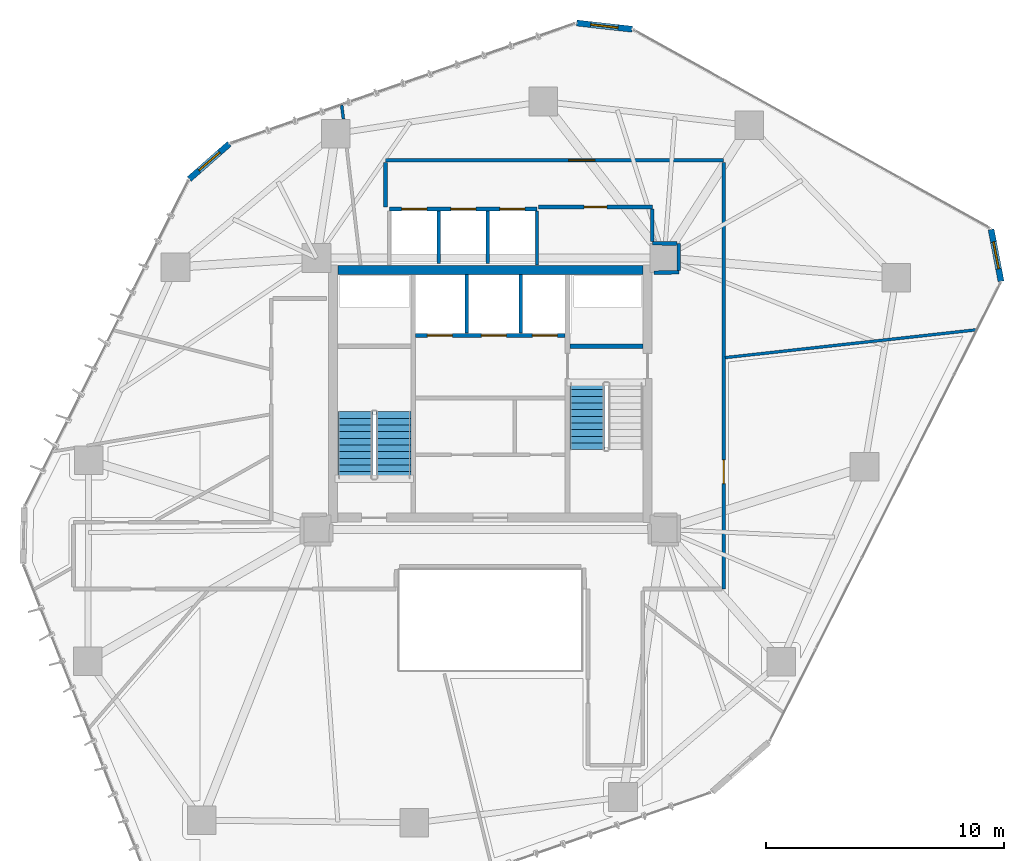
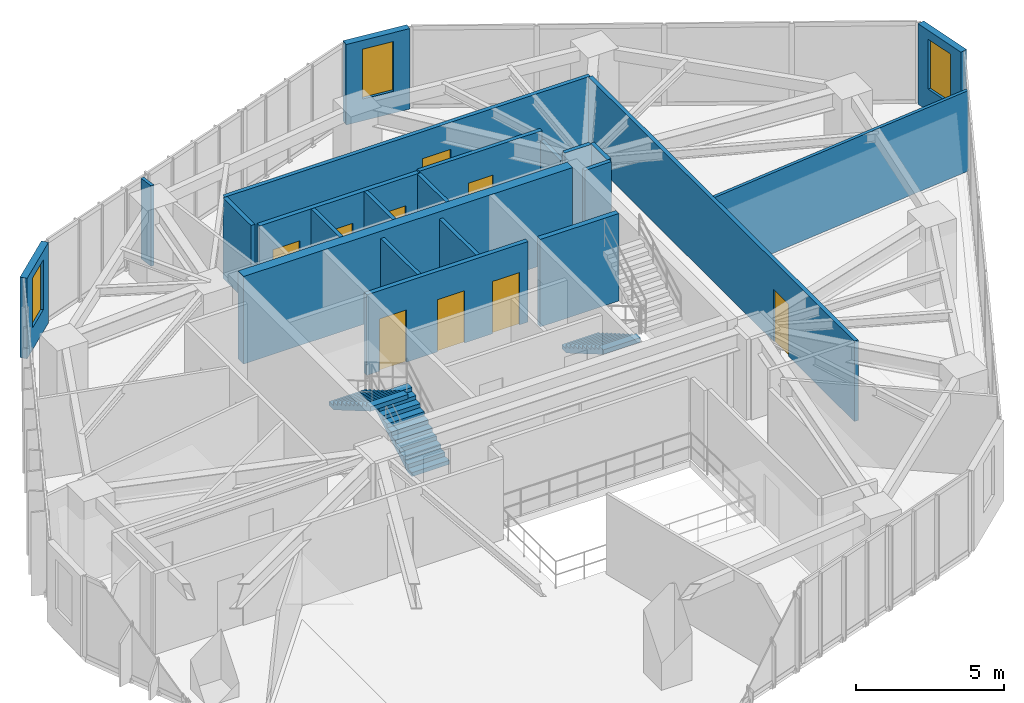
# One storey, part 17 of 21: 22 walls, 9 doors, 3 stair flights, 3 windows, 12 openings, 2 elements without a shape of their own.
"""IFC4 building model written with IfcOpenShell, lengths in metres."""

from ifc_helpers import new_model, si_unit, direction, frame, frame_2d, origin, place, context, subcontext, project, spatial, polyline, rectangle, outline, extrude, source, transform, mapped, material, layer, layer_set, type_object, type_shapes, element, fill, aggregate, save


model = new_model("IFC4")

# Units and contexts
model_context = context("Model", 3, precision=1e-05, world=origin(), true_north=direction((0.0, 1.0)))
body_context = subcontext(model_context, "Body", "Model", "MODEL_VIEW")
ifc_project = project(units=[si_unit("LENGTHUNIT", "METRE"), si_unit("AREAUNIT", "SQUARE_METRE"), si_unit("VOLUMEUNIT", "CUBIC_METRE"), si_unit("PLANEANGLEUNIT", "RADIAN"), si_unit("MASSUNIT", "GRAM", prefix="KILO")], contexts=[model_context])

# Site, building, storey
site_placement = place(None, origin())
site = spatial("IfcSite", under=ifc_project, at=site_placement, CompositionType="ELEMENT")
building_placement = place(site_placement, origin())
building = spatial("IfcBuilding", under=site, at=building_placement, Name="Talar Marvaseh", CompositionType="ELEMENT")
storey_placement = place(building_placement, frame((0.0, 0.0, 147.0)))
storey = spatial("IfcBuildingStorey", under=building, at=storey_placement, Name="L38", CompositionType="ELEMENT", Elevation=147.0)

# Wall, opening, window
ifc_material_1 = material(Name="Precast concrete C45/55", Category="concrete")
ifc_layer_1 = layer(ifc_material_1, 0.2548828125)
ifc_layer_set_1 = layer_set([ifc_layer_1], Name="Precast concrete C45/55")
wall_type_1 = type_object("IfcWallType", Name="Chamfered Hexagonal Corner Pier Wall Z2 255", PredefinedType="SOLIDWALL", material=ifc_layer_set_1)
wall_1_placement = place(storey_placement, frame((13.35546875, 40.2158203125, 0.0), z_axis=(0.0, 0.0, 1.0), x_axis=(0.751862192861, 0.65932028859, 0.0)))
wall_1 = element("IfcWall", 1, at=wall_1_placement, inside=storey, type_object=wall_type_1, Name="L38 Chamfered Corner Limestone Pier 3", PredefinedType="SOLIDWALL", context=body_context, shape_type="SweptSolid", body=[
    extrude(rectangle(XDim=2.2451171875, YDim=0.2548828125, at=frame_2d((1.12255859375, 0.0))), origin(), (0.0, 0.0, 1.0), 3.31005859375),
])
opening_1_placement = place(wall_1_placement, frame((0.548095703125, 0.0, 0.89990234375)))
opening_1 = element("IfcOpeningElement", 2, at=opening_1_placement, cuts=wall_1, Name="Opening WN-CHM11", PredefinedType="OPENING", context=body_context, shape_type="SweptSolid", body=[
    extrude(rectangle(XDim=1.14990234375, YDim=2.050048828125, at=frame_2d((0.574951171875, 1.02490234375))), frame((0.0, 0.137451171875, 0.0), z_axis=(0.0, -1.0, 0.0), x_axis=(1.0, 0.0, 0.0)), (0.0, 0.0, 1.0), 0.27490234375),
])
ifc_material_2 = material(Name="Laminated Low-E Solar Glass", Category="glass")
window_type = type_object("IfcWindowType", Name="Zone 2 Chamfered Corner Slot Window 1150x2050", PartitioningType="SINGLE_PANEL", PredefinedType="WINDOW", material=ifc_material_2)
shared_shape_1 = source(origin(), body_context, "Body", "SweptSolid", [
    extrude(rectangle(XDim=1.14990234375, YDim=2.050048828125, at=frame_2d((0.574951171875, 1.02490234375))), frame((0.0, 0.030029296875, 0.0), z_axis=(0.0, -1.0, 0.0), x_axis=(1.0, 0.0, 0.0)), (0.0, 0.0, 1.0), 0.06005859375),
])
type_shapes(window_type, [shared_shape_1])
window_1_placement = place(opening_1_placement, origin())
window_1 = element("IfcWindow", 3, at=window_1_placement, inside=storey, type_object=window_type, Name="L38 Chamfered Corner Slot Window", OverallHeight=2.050048828125, OverallWidth=1.14990234375, PartitioningType="SINGLE_PANEL", PredefinedType="WINDOW", context=body_context, shape_type="MappedRepresentation", body=[
    mapped(shared_shape_1, transform((0.0, 0.0, 0.0), x_axis=(1.0, 0.0, 0.0), y_axis=(0.0, 1.0, 0.0), z_axis=(0.0, 0.0, 1.0), scale=1.0)),
])
fill(opening_1, window_1)

wall_2_placement = place(storey_placement, frame((29.62548828125, 46.76708984375, 0.0), z_axis=(0.0, 0.0, 1.0), x_axis=(0.993822525902, -0.110981020945, 0.0)))
wall_2 = element("IfcWall", 4, at=wall_2_placement, inside=storey, type_object=wall_type_1, Name="L38 Chamfered Corner Limestone Pier 4", PredefinedType="SOLIDWALL", context=body_context, shape_type="SweptSolid", body=[
    extrude(rectangle(XDim=2.340576171875, YDim=0.2548828125, at=frame_2d((1.17041015625, 0.0))), origin(), (0.0, 0.0, 1.0), 3.31005859375),
])
opening_2_placement = place(wall_2_placement, frame((0.594970703125, 0.0, 0.89990234375)))
opening_2 = element("IfcOpeningElement", 5, at=opening_2_placement, cuts=wall_2, Name="Opening WN-CHM11", PredefinedType="OPENING", context=body_context, shape_type="SweptSolid", body=[
    extrude(rectangle(XDim=1.14990234375, YDim=2.050048828125, at=frame_2d((0.574951171875, 1.02490234375))), frame((0.0, 0.137451171875, 0.0), z_axis=(0.0, -1.0, 0.0), x_axis=(1.0, 0.0, 0.0)), (0.0, 0.0, 1.0), 0.27490234375),
])
window_2_placement = place(opening_2_placement, origin())
window_2 = element("IfcWindow", 6, at=window_2_placement, inside=storey, type_object=window_type, Name="L38 Chamfered Corner Slot Window", OverallHeight=2.050048828125, OverallWidth=1.14990234375, PartitioningType="SINGLE_PANEL", PredefinedType="WINDOW", context=body_context, shape_type="MappedRepresentation", body=[
    mapped(shared_shape_1, transform((0.0, 0.0, 0.0), x_axis=(1.0, 0.0, 0.0), y_axis=(0.0, 1.0, 0.0), z_axis=(0.0, 0.0, 1.0), scale=1.0)),
])
fill(opening_2, window_2)

wall_3_placement = place(storey_placement, frame((47.02587890625, 38.09912109375, 0.0), z_axis=(0.0, 0.0, 1.0), x_axis=(0.187911760655, -0.982185914279, 0.0)))
wall_3 = element("IfcWall", 7, at=wall_3_placement, inside=storey, type_object=wall_type_1, Name="L38 Chamfered Corner Limestone Pier 5", PredefinedType="SOLIDWALL", context=body_context, shape_type="SweptSolid", body=[
    extrude(rectangle(XDim=2.216552734375, YDim=0.2548828125, at=frame_2d((1.1083984375, 0.0))), origin(), (0.0, 0.0, 1.0), 3.31005859375),
])
opening_3_placement = place(wall_3_placement, frame((0.532958984375, 0.0, 0.89990234375)))
opening_3 = element("IfcOpeningElement", 8, at=opening_3_placement, cuts=wall_3, Name="Opening WN-CHM11", PredefinedType="OPENING", context=body_context, shape_type="SweptSolid", body=[
    extrude(rectangle(XDim=1.14990234375, YDim=2.050048828125, at=frame_2d((0.574951171875, 1.02490234375))), frame((0.0, 0.137451171875, 0.0), z_axis=(0.0, -1.0, 0.0), x_axis=(1.0, 0.0, 0.0)), (0.0, 0.0, 1.0), 0.27490234375),
])
window_3_placement = place(opening_3_placement, origin())
window_3 = element("IfcWindow", 9, at=window_3_placement, inside=storey, type_object=window_type, Name="L38 Chamfered Corner Slot Window", OverallHeight=2.050048828125, OverallWidth=1.14990234375, PartitioningType="SINGLE_PANEL", PredefinedType="WINDOW", context=body_context, shape_type="MappedRepresentation", body=[
    mapped(shared_shape_1, transform((0.0, 0.0, 0.0), x_axis=(1.0, 0.0, 0.0), y_axis=(0.0, 1.0, 0.0), z_axis=(0.0, 0.0, 1.0), scale=1.0)),
])
fill(opening_3, window_3)

# Wall, opening, door
ifc_material_3 = material(Name="Gypsum Board Partition Assembly")
ifc_layer_2 = layer(ifc_material_3, 0.155029296875)
ifc_layer_set_2 = layer_set([ifc_layer_2], Name="Gypsum Board Partition Assembly")
wall_type_2 = type_object("IfcWallType", Name="Corridor Fire-Rated Acoustic Partition 155", PredefinedType="PARTITIONING", material=ifc_layer_set_2)
wall_4_placement = place(storey_placement, frame((32.800048828125, 39.0400390625, 0.0), z_axis=(0.0, 0.0, 1.0), x_axis=(-1.0, 0.0, 0.0)))
wall_4 = element("IfcWall", 10, at=wall_4_placement, inside=storey, type_object=wall_type_2, Name="L38 Interior Partition Wall", PredefinedType="PARTITIONING", context=body_context, shape_type="SweptSolid", body=[
    extrude(rectangle(XDim=4.77001953125, YDim=0.155029296875, at=frame_2d((2.385009765625, 0.0))), origin(), (0.0, 0.0, 1.0), 3.31005859375),
])
opening_4_placement = place(wall_4_placement, frame((1.909912109375, 0.0, 0.0)))
opening_4 = element("IfcOpeningElement", 11, at=opening_4_placement, cuts=wall_4, Name="Opening DR-WC095", PredefinedType="OPENING", context=body_context, shape_type="SweptSolid", body=[
    extrude(rectangle(XDim=0.949951171875, YDim=2.14990234375, at=frame_2d((0.47509765625, 1.074951171875))), frame((0.0, 0.08740234375, 0.0), z_axis=(0.0, -1.0, 0.0), x_axis=(1.0, 0.0, 0.0)), (0.0, 0.0, 1.0), 0.175048828125),
])
ifc_material_4 = material(Name="Acoustic Engineered Oak Timber", Category="wood")
door_type_1 = type_object("IfcDoorType", Name="Washroom and Service Room Door 950x2150", OperationType="NOTDEFINED", PredefinedType="DOOR", material=ifc_material_4)
shared_shape_2 = source(origin(), body_context, "Body", "SweptSolid", [
    extrude(rectangle(XDim=0.949951171875, YDim=2.14990234375, at=frame_2d((0.47509765625, 1.074951171875))), frame((0.0, 0.02490234375, 0.0), z_axis=(0.0, -1.0, 0.0), x_axis=(1.0, 0.0, 0.0)), (0.0, 0.0, 1.0), 0.050048828125),
])
type_shapes(door_type_1, [shared_shape_2])
door_1_placement = place(opening_4_placement, origin())
door_1 = element("IfcDoor", 12, at=door_1_placement, inside=storey, type_object=door_type_1, Name="L38 Accessible WC Door", OperationType="SINGLE_SWING_RIGHT", OverallHeight=2.14990234375, OverallWidth=0.949951171875, PredefinedType="DOOR", context=body_context, shape_type="MappedRepresentation", body=[
    mapped(shared_shape_2, transform((0.0, 0.0, 0.0), x_axis=(1.0, 0.0, 0.0), y_axis=(0.0, 1.0, 0.0), z_axis=(0.0, 0.0, 1.0), scale=1.0)),
])
fill(opening_4, door_1)

wall_5_placement = place(storey_placement, frame((21.60009765625, 41.0, 0.0), z_axis=(0.0, 0.0, 1.0), x_axis=(1.0, 0.0, 0.0)))
wall_5 = element("IfcWall", 13, at=wall_5_placement, inside=storey, type_object=wall_type_2, Name="L38 Interior Partition Wall", PredefinedType="PARTITIONING", context=body_context, shape_type="SweptSolid", body=[
    extrude(rectangle(XDim=14.199951171875, YDim=0.155029296875, at=frame_2d((7.10009765625, 0.0))), origin(), (0.0, 0.0, 1.0), 3.31005859375),
])
opening_5_placement = place(wall_5_placement, frame((7.68603515625, 0.0, 0.0)))
opening_5 = element("IfcOpeningElement", 14, at=opening_5_placement, cuts=wall_5, Name="Opening DR-RM110", PredefinedType="OPENING", context=body_context, shape_type="SweptSolid", body=[
    extrude(rectangle(XDim=1.10009765625, YDim=2.199951171875, at=frame_2d((0.550048828125, 1.10009765625))), frame((0.0, 0.08740234375, 0.0), z_axis=(0.0, -1.0, 0.0), x_axis=(1.0, 0.0, 0.0)), (0.0, 0.0, 1.0), 0.175048828125),
])
door_type_2 = type_object("IfcDoorType", Name="Assembly and Reading Hall Door 1100x2200", OperationType="NOTDEFINED", PredefinedType="DOOR", material=ifc_material_4)
shared_shape_3 = source(origin(), body_context, "Body", "SweptSolid", [
    extrude(rectangle(XDim=1.10009765625, YDim=2.199951171875, at=frame_2d((0.550048828125, 1.10009765625))), frame((0.0, 0.02490234375, 0.0), z_axis=(0.0, -1.0, 0.0), x_axis=(1.0, 0.0, 0.0)), (0.0, 0.0, 1.0), 0.050048828125),
])
type_shapes(door_type_2, [shared_shape_3])
door_2_placement = place(opening_5_placement, origin())
door_2 = element("IfcDoor", 15, at=door_2_placement, inside=storey, type_object=door_type_2, Name="L38 Gallery Security Control Room Door", OperationType="SINGLE_SWING_LEFT", OverallHeight=2.199951171875, OverallWidth=1.10009765625, PredefinedType="DOOR", context=body_context, shape_type="MappedRepresentation", body=[
    mapped(shared_shape_3, transform((0.0, 0.0, 0.0), x_axis=(1.0, 0.0, 0.0), y_axis=(0.0, 1.0, 0.0), z_axis=(0.0, 0.0, 1.0), scale=1.0)),
])
fill(opening_5, door_2)

wall_6_placement = place(storey_placement, frame((35.800048828125, 40.91650390625, 0.0), z_axis=(0.0, 0.0, 1.0), x_axis=(0.0, -1.0, 0.0)))
wall_6 = element("IfcWall", 16, at=wall_6_placement, inside=storey, type_object=wall_type_2, Name="L38 Interior Partition Wall", PredefinedType="PARTITIONING", context=body_context, shape_type="SweptSolid", body=[
    extrude(rectangle(XDim=17.91650390625, YDim=0.155029296875, at=frame_2d((8.958251953125, 0.0))), origin(), (0.0, 0.0, 1.0), 3.31005859375),
])
opening_6_placement = place(wall_6_placement, frame((12.48876953125, 0.0, 0.0)))
opening_6 = element("IfcOpeningElement", 17, at=opening_6_placement, cuts=wall_6, Name="Opening DR-RM100", PredefinedType="OPENING", context=body_context, shape_type="SweptSolid", body=[
    extrude(rectangle(XDim=1.0, YDim=2.14990234375, at=frame_2d((0.5, 1.074951171875))), frame((0.0, 0.08740234375, 0.0), z_axis=(0.0, -1.0, 0.0), x_axis=(1.0, 0.0, 0.0)), (0.0, 0.0, 1.0), 0.175048828125),
])
door_type_3 = type_object("IfcDoorType", Name="Corridor Fire-Rated Gallery Door 1000x2150", OperationType="NOTDEFINED", PredefinedType="DOOR", material=ifc_material_4)
shared_shape_4 = source(origin(), body_context, "Body", "SweptSolid", [
    extrude(rectangle(XDim=1.0, YDim=2.14990234375, at=frame_2d((0.5, 1.074951171875))), frame((0.0, 0.02490234375, 0.0), z_axis=(0.0, -1.0, 0.0), x_axis=(1.0, 0.0, 0.0)), (0.0, 0.0, 1.0), 0.050048828125),
])
type_shapes(door_type_3, [shared_shape_4])
door_3_placement = place(opening_6_placement, origin())
door_3 = element("IfcDoor", 18, at=door_3_placement, inside=storey, type_object=door_type_3, Name="L38 Cultural Fellowship Office Door", OperationType="SINGLE_SWING_RIGHT", OverallHeight=2.14990234375, OverallWidth=1.0, PredefinedType="DOOR", context=body_context, shape_type="MappedRepresentation", body=[
    mapped(shared_shape_4, transform((0.0, 0.0, 0.0), x_axis=(1.0, 0.0, 0.0), y_axis=(0.0, 1.0, 0.0), z_axis=(0.0, 0.0, 1.0), scale=1.0)),
])
fill(opening_6, door_3)

# Walls
wall_7_placement = place(storey_placement, frame((32.8701171875, 36.284912109375, 0.0), z_axis=(0.0, 0.0, 1.0), x_axis=(0.999895094683, 0.014484461652, 0.0)))
element("IfcWall", 19, at=wall_7_placement, inside=storey, type_object=wall_type_2, Name="L38 Interior Partition Wall", PredefinedType="PARTITIONING", context=body_context, shape_type="SweptSolid", body=[
    extrude(rectangle(XDim=1.044921875, YDim=0.155029296875, at=frame_2d((0.5224609375, 0.0))), origin(), (0.0, 0.0, 1.0), 3.31005859375),
])
wall_8_placement = place(storey_placement, frame((33.914794921875, 36.383544921875, 0.0), z_axis=(0.0, 0.0, 1.0), x_axis=(-0.003682817312, 0.999993218405, 0.0)))
element("IfcWall", 20, at=wall_8_placement, inside=storey, type_object=wall_type_2, Name="L38 Interior Partition Wall", PredefinedType="PARTITIONING", context=body_context, shape_type="SweptSolid", body=[
    extrude(rectangle(XDim=1.126953125, YDim=0.155029296875, at=frame_2d((0.5634765625, 0.0))), origin(), (0.0, 0.0, 1.0), 3.31005859375),
])
wall_9_placement = place(storey_placement, frame((33.8271484375, 37.510986328125, 0.0), z_axis=(0.0, 0.0, 1.0), x_axis=(-0.99999276797, 0.003803157663, 0.0)))
element("IfcWall", 21, at=wall_9_placement, inside=storey, type_object=wall_type_2, Name="L38 Interior Partition Wall", PredefinedType="PARTITIONING", context=body_context, shape_type="SweptSolid", body=[
    extrude(rectangle(XDim=1.027099609375, YDim=0.155029296875, at=frame_2d((0.513671875, 0.0))), origin(), (0.0, 0.0, 1.0), 3.31005859375),
])
wall_10_placement = place(storey_placement, frame((32.800048828125, 37.598388671875, 0.0), z_axis=(0.0, 0.0, 1.0), x_axis=(0.0, 1.0, 0.0)))
element("IfcWall", 22, at=wall_10_placement, inside=storey, type_object=wall_type_2, Name="L38 Interior Partition Wall", PredefinedType="PARTITIONING", context=body_context, shape_type="SweptSolid", body=[
    extrude(rectangle(XDim=1.358154296875, YDim=0.155029296875, at=frame_2d((0.67919921875, 0.0))), origin(), (0.0, 0.0, 1.0), 2.927001953125),
])
wall_11_placement = place(storey_placement, frame((21.60009765625, 39.0400390625, 0.0), z_axis=(0.0, 0.0, 1.0), x_axis=(0.0, 1.0, 0.0)))
element("IfcWall", 23, at=wall_11_placement, inside=storey, type_object=wall_type_2, Name="L38 Interior Partition Wall", PredefinedType="PARTITIONING", context=body_context, shape_type="SweptSolid", body=[
    extrude(rectangle(XDim=1.87646484375, YDim=0.155029296875, at=frame_2d((0.938232421875, 0.0))), origin(), (0.0, 0.0, 1.0), 3.31005859375),
])
ifc_layer_3 = layer(ifc_material_3, 0.1201171875)
ifc_layer_set_3 = layer_set([ifc_layer_3], Name="Gypsum Board Partition Assembly")
wall_type_3 = type_object("IfcWallType", Name="Demountable Studio Room Partition 120", PredefinedType="PARTITIONING", material=ifc_layer_set_3)
wall_12_placement = place(storey_placement, frame((35.864501953125, 32.71728515625, 0.0), z_axis=(0.0, 0.0, 1.0), x_axis=(0.993931928735, 0.109996913779, 0.0)))
element("IfcWall", 24, at=wall_12_placement, inside=storey, type_object=wall_type_3, Name="L38 Interior Partition Wall", PredefinedType="PARTITIONING", context=body_context, shape_type="SweptSolid", body=[
    extrude(rectangle(XDim=10.60498046875, YDim=0.1201171875, at=frame_2d((5.302490234375, 0.0))), origin(), (0.0, 0.0, 1.0), 3.31005859375),
])
wall_13_placement = place(storey_placement, frame((19.830078125, 42.739990234375, 0.0), z_axis=(0.0, 0.0, 1.0), x_axis=(-0.124294013826, 0.992245432404, 0.0)))
element("IfcWall", 25, at=wall_13_placement, inside=storey, type_object=wall_type_3, Name="L38 Interior Partition Wall", PredefinedType="PARTITIONING", context=body_context, shape_type="SweptSolid", body=[
    extrude(rectangle(XDim=0.579345703125, YDim=0.1201171875, at=frame_2d((0.28955078125, 0.0))), origin(), (0.0, 0.0, 1.0), 3.31005859375),
])
ifc_layer_4 = layer(ifc_material_1, 0.14501953125)
ifc_layer_set_4 = layer_set([ifc_layer_4], Name="Precast concrete C45/55")
wall_type_4 = type_object("IfcWallType", Name="Fire-Rated Lift Divider Wall 145", PredefinedType="SOLIDWALL", material=ifc_layer_set_4)
for number, where, z_axis, x_axis, name in (
    (26, (25.0, 33.743408203125, 0.0), (0.0, 0.0, 1.0), (0.0, 1.0, 0.0), "L38 FFL-1/FFL-2 Divider"),
    (27, (27.280029296875, 33.743408203125, 0.0), (0.0, 0.0, 1.0), (0.0, 1.0, 0.0), "L38 FFL-2/SVL-1 Divider"),
):
    element("IfcWall", number, at=place(storey_placement, frame(where, z_axis=z_axis, x_axis=x_axis)), inside=storey, type_object=wall_type_4, Name=name, PredefinedType="SOLIDWALL", context=body_context, shape_type="SweptSolid", body=[
        extrude(rectangle(XDim=2.45654296875, YDim=0.14501953125, at=frame_2d((1.228271484375, 0.0))), origin(), (0.0, 0.0, 1.0), 3.31005859375),
    ])
wall_14_placement = place(storey_placement, frame((27.9599609375, 36.60009765625, 0.0), z_axis=(0.0, 0.0, 1.0), x_axis=(0.0, 1.0, 0.0)))
element("IfcWall", 28, at=wall_14_placement, inside=storey, type_object=wall_type_4, Name="L38 Low-Rise Bank East Wall", PredefinedType="SOLIDWALL", context=body_context, shape_type="SweptSolid", body=[
    extrude(rectangle(XDim=2.266357421875, YDim=0.14501953125, at=frame_2d((1.13330078125, 0.0))), origin(), (0.0, 0.0, 1.0), 3.31005859375),
])
for number, where, z_axis, x_axis, name in (
    (29, (23.830078125, 36.659912109375, 0.0), (0.0, 0.0, 1.0), (0.0, 1.0, 0.0), "L38 PL-L1/PL-L2 Divider"),
    (30, (25.889892578125, 36.659912109375, 0.0), (0.0, 0.0, 1.0), (0.0, 1.0, 0.0), "L38 PL-L2/PL-L3 Divider"),
):
    element("IfcWall", number, at=place(storey_placement, frame(where, z_axis=z_axis, x_axis=x_axis)), inside=storey, type_object=wall_type_4, Name=name, PredefinedType="SOLIDWALL", context=body_context, shape_type="SweptSolid", body=[
        extrude(rectangle(XDim=2.20654296875, YDim=0.14501953125, at=frame_2d((1.103271484375, 0.0))), origin(), (0.0, 0.0, 1.0), 3.31005859375),
    ])

# Wall, openings, doors
ifc_layer_5 = layer(ifc_material_1, 0.175048828125)
ifc_layer_set_5 = layer_set([ifc_layer_5], Name="Precast concrete C45/55")
wall_type_5 = type_object("IfcWallType", Name="Fire-Rated Lift Hoistway Enclosure Wall 175", PredefinedType="SOLIDWALL", material=ifc_layer_set_5)
wall_15_placement = place(storey_placement, frame((22.860107421875, 33.64990234375, 0.0), z_axis=(0.0, 0.0, 1.0), x_axis=(1.0, 0.0, 0.0)))
wall_15 = element("IfcWall", 31, at=wall_15_placement, inside=storey, type_object=wall_type_5, Name="L38 Firefighting and Service Lift Front Wall", PredefinedType="SOLIDWALL", context=body_context, shape_type="SweptSolid", body=[
    extrude(rectangle(XDim=6.27978515625, YDim=0.175048828125, at=frame_2d((3.139892578125, 0.0))), origin(), (0.0, 0.0, 1.0), 3.31005859375),
])
opening_7_placement = place(wall_15_placement, frame((0.5, 0.0, 0.0)))
opening_7 = element("IfcOpeningElement", 32, at=opening_7_placement, cuts=wall_15, Name="Opening LD-FF1", PredefinedType="OPENING", context=body_context, shape_type="SweptSolid", body=[
    extrude(rectangle(XDim=1.050048828125, YDim=2.14990234375, at=frame_2d((0.52490234375, 1.074951171875))), frame((0.0, 0.09765625, 0.0), z_axis=(0.0, -1.0, 0.0), x_axis=(1.0, 0.0, 0.0)), (0.0, 0.0, 1.0), 0.195068359375),
])
opening_8_placement = place(wall_15_placement, frame((2.760009765625, 0.0, 0.0)))
opening_8 = element("IfcOpeningElement", 33, at=opening_8_placement, cuts=wall_15, Name="Opening LD-FF2", PredefinedType="OPENING", context=body_context, shape_type="SweptSolid", body=[
    extrude(rectangle(XDim=1.050048828125, YDim=2.14990234375, at=frame_2d((0.52490234375, 1.074951171875))), frame((0.0, 0.09765625, 0.0), z_axis=(0.0, -1.0, 0.0), x_axis=(1.0, 0.0, 0.0)), (0.0, 0.0, 1.0), 0.195068359375),
])
opening_9_placement = place(wall_15_placement, frame((4.89990234375, 0.0, 0.0)))
opening_9 = element("IfcOpeningElement", 34, at=opening_9_placement, cuts=wall_15, Name="Opening LD-SV1", PredefinedType="OPENING", context=body_context, shape_type="SweptSolid", body=[
    extrude(rectangle(XDim=1.050048828125, YDim=2.14990234375, at=frame_2d((0.52490234375, 1.074951171875))), frame((0.0, 0.09765625, 0.0), z_axis=(0.0, -1.0, 0.0), x_axis=(1.0, 0.0, 0.0)), (0.0, 0.0, 1.0), 0.195068359375),
])
ifc_material_5 = material(Name="Stainless Steel Grade 316", Category="steel")
door_type_4 = type_object("IfcDoorType", Name="Automatic Sliding Lift Landing Door 1050x2150", OperationType="NOTDEFINED", PredefinedType="DOOR", material=ifc_material_5)
shared_shape_5 = source(origin(), body_context, "Body", "SweptSolid", [
    extrude(rectangle(XDim=1.050048828125, YDim=2.14990234375, at=frame_2d((0.52490234375, 1.074951171875))), frame((0.0, 0.02490234375, 0.0), z_axis=(0.0, -1.0, 0.0), x_axis=(1.0, 0.0, 0.0)), (0.0, 0.0, 1.0), 0.050048828125),
])
type_shapes(door_type_4, [shared_shape_5])
door_4_placement = place(opening_7_placement, origin())
door_4 = element("IfcDoor", 35, at=door_4_placement, inside=storey, type_object=door_type_4, Name="L38 Lift FFL-1 Sliding Landing Door", OperationType="SLIDING_TO_LEFT", OverallHeight=2.14990234375, OverallWidth=1.050048828125, PredefinedType="DOOR", context=body_context, shape_type="MappedRepresentation", body=[
    mapped(shared_shape_5, transform((0.0, 0.0, 0.0), x_axis=(1.0, 0.0, 0.0), y_axis=(0.0, 1.0, 0.0), z_axis=(0.0, 0.0, 1.0), scale=1.0)),
])
fill(opening_7, door_4)
door_5_placement = place(opening_8_placement, origin())
door_5 = element("IfcDoor", 36, at=door_5_placement, inside=storey, type_object=door_type_4, Name="L38 Lift FFL-2 Sliding Landing Door", OperationType="SLIDING_TO_LEFT", OverallHeight=2.14990234375, OverallWidth=1.050048828125, PredefinedType="DOOR", context=body_context, shape_type="MappedRepresentation", body=[
    mapped(shared_shape_5, transform((0.0, 0.0, 0.0), x_axis=(1.0, 0.0, 0.0), y_axis=(0.0, 1.0, 0.0), z_axis=(0.0, 0.0, 1.0), scale=1.0)),
])
fill(opening_8, door_5)
door_6_placement = place(opening_9_placement, origin())
door_6 = element("IfcDoor", 37, at=door_6_placement, inside=storey, type_object=door_type_4, Name="L38 Lift SVL-1 Sliding Landing Door", OperationType="SLIDING_TO_LEFT", OverallHeight=2.14990234375, OverallWidth=1.050048828125, PredefinedType="DOOR", context=body_context, shape_type="MappedRepresentation", body=[
    mapped(shared_shape_5, transform((0.0, 0.0, 0.0), x_axis=(1.0, 0.0, 0.0), y_axis=(0.0, 1.0, 0.0), z_axis=(0.0, 0.0, 1.0), scale=1.0)),
])
fill(opening_9, door_6)

wall_16_placement = place(storey_placement, frame((21.760009765625, 38.9599609375, 0.0), z_axis=(0.0, 0.0, 1.0), x_axis=(1.0, 0.0, 0.0)))
wall_16 = element("IfcWall", 38, at=wall_16_placement, inside=storey, type_object=wall_type_5, Name="L38 Low-Rise Lift Bank Front Wall", PredefinedType="SOLIDWALL", context=body_context, shape_type="SweptSolid", body=[
    extrude(rectangle(XDim=6.199951171875, YDim=0.175048828125, at=frame_2d((3.10009765625, 0.0))), origin(), (0.0, 0.0, 1.0), 3.31005859375),
])
opening_10_placement = place(wall_16_placement, frame((0.52001953125, 0.0, 0.0)))
opening_10 = element("IfcOpeningElement", 39, at=opening_10_placement, cuts=wall_16, Name="Opening LD-PLL1", PredefinedType="OPENING", context=body_context, shape_type="SweptSolid", body=[
    extrude(rectangle(XDim=1.050048828125, YDim=2.14990234375, at=frame_2d((0.52490234375, 1.074951171875))), frame((0.0, 0.09765625, 0.0), z_axis=(0.0, -1.0, 0.0), x_axis=(1.0, 0.0, 0.0)), (0.0, 0.0, 1.0), 0.195068359375),
])
opening_11_placement = place(wall_16_placement, frame((2.580078125, 0.0, 0.0)))
opening_11 = element("IfcOpeningElement", 40, at=opening_11_placement, cuts=wall_16, Name="Opening LD-PLL2", PredefinedType="OPENING", context=body_context, shape_type="SweptSolid", body=[
    extrude(rectangle(XDim=1.050048828125, YDim=2.14990234375, at=frame_2d((0.52490234375, 1.074951171875))), frame((0.0, 0.09765625, 0.0), z_axis=(0.0, -1.0, 0.0), x_axis=(1.0, 0.0, 0.0)), (0.0, 0.0, 1.0), 0.195068359375),
])
opening_12_placement = place(wall_16_placement, frame((4.639892578125, 0.0, 0.0)))
opening_12 = element("IfcOpeningElement", 41, at=opening_12_placement, cuts=wall_16, Name="Opening LD-PLL3", PredefinedType="OPENING", context=body_context, shape_type="SweptSolid", body=[
    extrude(rectangle(XDim=1.050048828125, YDim=2.14990234375, at=frame_2d((0.52490234375, 1.074951171875))), frame((0.0, 0.09765625, 0.0), z_axis=(0.0, -1.0, 0.0), x_axis=(1.0, 0.0, 0.0)), (0.0, 0.0, 1.0), 0.195068359375),
])
door_7_placement = place(opening_10_placement, origin())
door_7 = element("IfcDoor", 42, at=door_7_placement, inside=storey, type_object=door_type_4, Name="L38 Lift PL-L1 Sliding Landing Door", OperationType="SLIDING_TO_LEFT", OverallHeight=2.14990234375, OverallWidth=1.050048828125, PredefinedType="DOOR", context=body_context, shape_type="MappedRepresentation", body=[
    mapped(shared_shape_5, transform((0.0, 0.0, 0.0), x_axis=(1.0, 0.0, 0.0), y_axis=(0.0, 1.0, 0.0), z_axis=(0.0, 0.0, 1.0), scale=1.0)),
])
fill(opening_10, door_7)
door_8_placement = place(opening_11_placement, origin())
door_8 = element("IfcDoor", 43, at=door_8_placement, inside=storey, type_object=door_type_4, Name="L38 Lift PL-L2 Sliding Landing Door", OperationType="SLIDING_TO_LEFT", OverallHeight=2.14990234375, OverallWidth=1.050048828125, PredefinedType="DOOR", context=body_context, shape_type="MappedRepresentation", body=[
    mapped(shared_shape_5, transform((0.0, 0.0, 0.0), x_axis=(1.0, 0.0, 0.0), y_axis=(0.0, 1.0, 0.0), z_axis=(0.0, 0.0, 1.0), scale=1.0)),
])
fill(opening_11, door_8)
door_9_placement = place(opening_12_placement, origin())
door_9 = element("IfcDoor", 44, at=door_9_placement, inside=storey, type_object=door_type_4, Name="L38 Lift PL-L3 Sliding Landing Door", OperationType="SLIDING_TO_LEFT", OverallHeight=2.14990234375, OverallWidth=1.050048828125, PredefinedType="DOOR", context=body_context, shape_type="MappedRepresentation", body=[
    mapped(shared_shape_5, transform((0.0, 0.0, 0.0), x_axis=(1.0, 0.0, 0.0), y_axis=(0.0, 1.0, 0.0), z_axis=(0.0, 0.0, 1.0), scale=1.0)),
])
fill(opening_12, door_9)

# Walls
ifc_material_6 = material(Name="Concrete C60/75", Category="concrete")
ifc_layer_6 = layer(ifc_material_6, 0.3798828125)
ifc_layer_set_6 = layer_set([ifc_layer_6], Name="Concrete C60/75")
wall_type_6 = type_object("IfcWallType", Name="Mid Core Reinforced Concrete Shear Wall 380", PredefinedType="SHEAR", material=ifc_layer_set_6)
wall_17_placement = place(storey_placement, frame((19.60009765625, 36.39990234375, 0.0), z_axis=(0.0, 0.0, 1.0), x_axis=(1.0, 0.0, 0.0)))
element("IfcWall", 45, at=wall_17_placement, inside=storey, type_object=wall_type_6, Name="L38 North Core Shear Wall", PredefinedType="SHEAR", context=body_context, shape_type="SweptSolid", body=[
    extrude(rectangle(XDim=12.7998046875, YDim=0.3798828125, at=frame_2d((6.39990234375, 0.0))), origin(), (0.0, 0.0, 1.0), 3.60009765625),
])
ifc_material_7 = material(Name="Concrete C50/60", Category="concrete")
ifc_layer_7 = layer(ifc_material_7, 0.199951171875)
ifc_layer_set_7 = layer_set([ifc_layer_7], Name="Concrete C50/60")
wall_type_7 = type_object("IfcWallType", Name="Stair Shaft Structural Concrete Shear Wall 200", PredefinedType="SHEAR", material=ifc_layer_set_7)
wall_18_placement = place(storey_placement, frame((29.340087890625, 33.199951171875, 0.0), z_axis=(0.0, 0.0, 1.0), x_axis=(1.0, 0.0, 0.0)))
element("IfcWall", 46, at=wall_18_placement, inside=storey, type_object=wall_type_7, Name="L38 Stair ST-2 North Shear Wall", PredefinedType="SHEAR", context=body_context, shape_type="SweptSolid", body=[
    extrude(rectangle(XDim=3.059814453125, YDim=0.199951171875, at=frame_2d((1.52978515625, 0.0))), origin(), (0.0, 0.0, 1.0), 3.60009765625),
])

# Stair, stair flights
ifc_material_8 = material(Name="Concrete C40/50", Category="concrete")
stair_type = type_object("IfcStairType", Name="Reinforced Concrete Half-Turn Exit Stair Type B", PredefinedType="HALF_TURN_STAIR", material=ifc_material_8)
stair_1_placement = place(storey_placement, origin())
stair_1 = element("IfcStair", 47, at=stair_1_placement, inside=storey, type_object=stair_type, Name="L38 Tower West Core Exit Stair", PredefinedType="HALF_TURN_STAIR")
ifc_layer_8 = layer(ifc_material_8, 0.159912109375)
ifc_layer_set_8 = layer_set([ifc_layer_8], Name="Concrete C40/50")
stair_flight_type = type_object("IfcStairFlightType", Name="Reinforced Concrete Straight Stair Flight 160", PredefinedType="STRAIGHT", material=ifc_layer_set_8)
stair_flight_1_placement = place(storey_placement, frame((21.93505859375, 27.64990234375, 0.0), z_axis=(0.0, 0.0, 1.0), x_axis=(0.0, 1.0, 0.0)))
stair_flight_1 = element("IfcStairFlight", 48, at=stair_flight_1_placement, type_object=stair_flight_type, Name="ST-1 flight 1", NumberOfRisers=11, NumberOfTreads=10, PredefinedType="STRAIGHT", RiserHeight=0.163636364, TreadLength=0.28, context=body_context, shape_type="SweptSolid", body=[
    extrude(outline(polyline([(0.0, 0.0), (0.0, 0.16357421875), (0.280029296875, 0.16357421875), (0.280029296875, 0.327392578125), (0.56005859375, 0.327392578125), (0.56005859375, 0.490966796875), (0.840087890625, 0.490966796875), (0.840087890625, 0.654541015625), (1.1201171875, 0.654541015625), (1.1201171875, 0.818115234375), (1.39990234375, 0.818115234375), (1.39990234375, 0.98193359375), (1.679931640625, 0.98193359375), (1.679931640625, 1.1455078125), (1.9599609375, 1.1455078125), (1.9599609375, 1.30908203125), (2.239990234375, 1.30908203125), (2.239990234375, 1.47265625), (2.52001953125, 1.47265625), (2.52001953125, 1.636474609375), (2.800048828125, 1.636474609375), (2.800048828125, 1.800048828125), (2.800048828125, 1.451171875), (0.31689453125, 0.0), (0.0, 0.0)])), frame((0.0, 0.72509765625, 0.0), z_axis=(0.0, -1.0, 0.0), x_axis=(1.0, 0.0, 0.0)), (0.0, 0.0, 1.0), 1.449951171875),
])
stair_flight_2_placement = place(storey_placement, frame((20.324951171875, 30.449951171875, 1.800048828125), z_axis=(0.0, 0.0, 1.0), x_axis=(0.0, -1.0, 0.0)))
stair_flight_2 = element("IfcStairFlight", 49, at=stair_flight_2_placement, type_object=stair_flight_type, Name="ST-1 flight 2", NumberOfRisers=11, NumberOfTreads=10, PredefinedType="STRAIGHT", RiserHeight=0.163636364, TreadLength=0.28, context=body_context, shape_type="SweptSolid", body=[
    extrude(outline(polyline([(0.0, 0.0), (0.0, 0.16357421875), (0.280029296875, 0.16357421875), (0.280029296875, 0.327392578125), (0.56005859375, 0.327392578125), (0.56005859375, 0.490966796875), (0.840087890625, 0.490966796875), (0.840087890625, 0.654541015625), (1.1201171875, 0.654541015625), (1.1201171875, 0.818115234375), (1.39990234375, 0.818115234375), (1.39990234375, 0.98193359375), (1.679931640625, 0.98193359375), (1.679931640625, 1.1455078125), (1.9599609375, 1.1455078125), (1.9599609375, 1.30908203125), (2.239990234375, 1.30908203125), (2.239990234375, 1.47265625), (2.52001953125, 1.47265625), (2.52001953125, 1.636474609375), (2.800048828125, 1.636474609375), (2.800048828125, 1.800048828125), (2.800048828125, 1.451171875), (0.31689453125, 0.0), (0.0, 0.0)])), frame((0.0, 0.72509765625, 0.0), z_axis=(0.0, -1.0, 0.0), x_axis=(1.0, 0.0, 0.0)), (0.0, 0.0, 1.0), 1.449951171875),
])
aggregate(stair_1, [stair_flight_1, stair_flight_2])

# Stair, stair flight
stair_2_placement = place(storey_placement, origin())
stair_2 = element("IfcStair", 50, at=stair_2_placement, inside=storey, type_object=stair_type, Name="L38 Tower East Core Exit Stair", PredefinedType="HALF_TURN_STAIR")
stair_flight_3_placement = place(storey_placement, frame((30.06494140625, 31.64990234375, 0.0), z_axis=(0.0, 0.0, 1.0), x_axis=(0.0, -1.0, 0.0)))
stair_flight_3 = element("IfcStairFlight", 51, at=stair_flight_3_placement, type_object=stair_flight_type, Name="ST-2 flight 1", NumberOfRisers=11, NumberOfTreads=10, PredefinedType="STRAIGHT", RiserHeight=0.163636364, TreadLength=0.28, context=body_context, shape_type="SweptSolid", body=[
    extrude(outline(polyline([(0.0, 0.0), (0.0, 0.16357421875), (0.280029296875, 0.16357421875), (0.280029296875, 0.327392578125), (0.56005859375, 0.327392578125), (0.56005859375, 0.490966796875), (0.840087890625, 0.490966796875), (0.840087890625, 0.654541015625), (1.1201171875, 0.654541015625), (1.1201171875, 0.818115234375), (1.39990234375, 0.818115234375), (1.39990234375, 0.98193359375), (1.679931640625, 0.98193359375), (1.679931640625, 1.1455078125), (1.9599609375, 1.1455078125), (1.9599609375, 1.30908203125), (2.239990234375, 1.30908203125), (2.239990234375, 1.47265625), (2.52001953125, 1.47265625), (2.52001953125, 1.636474609375), (2.800048828125, 1.636474609375), (2.800048828125, 1.800048828125), (2.800048828125, 1.451171875), (0.31689453125, 0.0), (0.0, 0.0)])), frame((0.0, 0.72509765625, 0.0), z_axis=(0.0, -1.0, 0.0), x_axis=(1.0, 0.0, 0.0)), (0.0, 0.0, 1.0), 1.449951171875),
])
aggregate(stair_2, [stair_flight_3])

save(model, "model.ifc")
